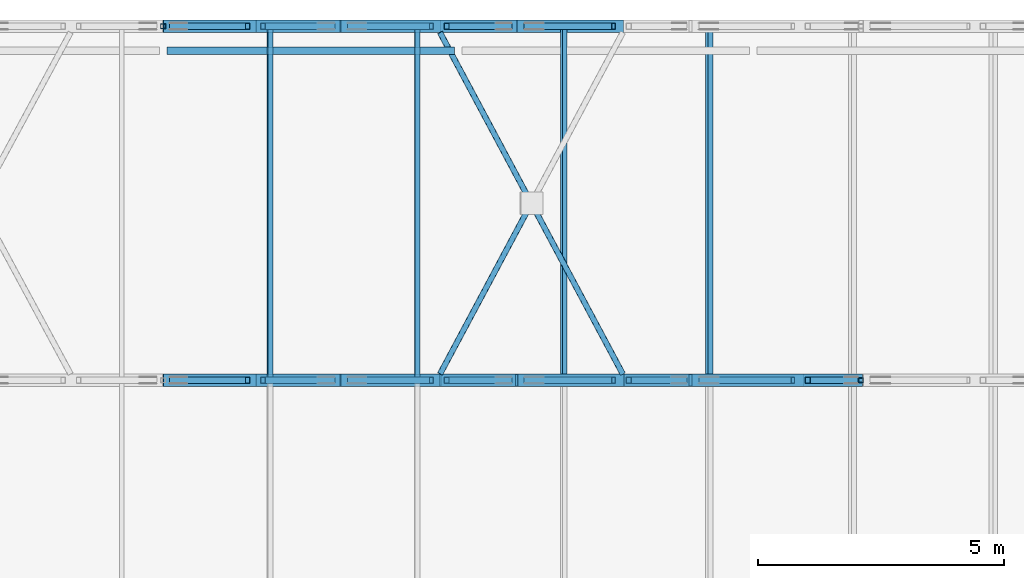
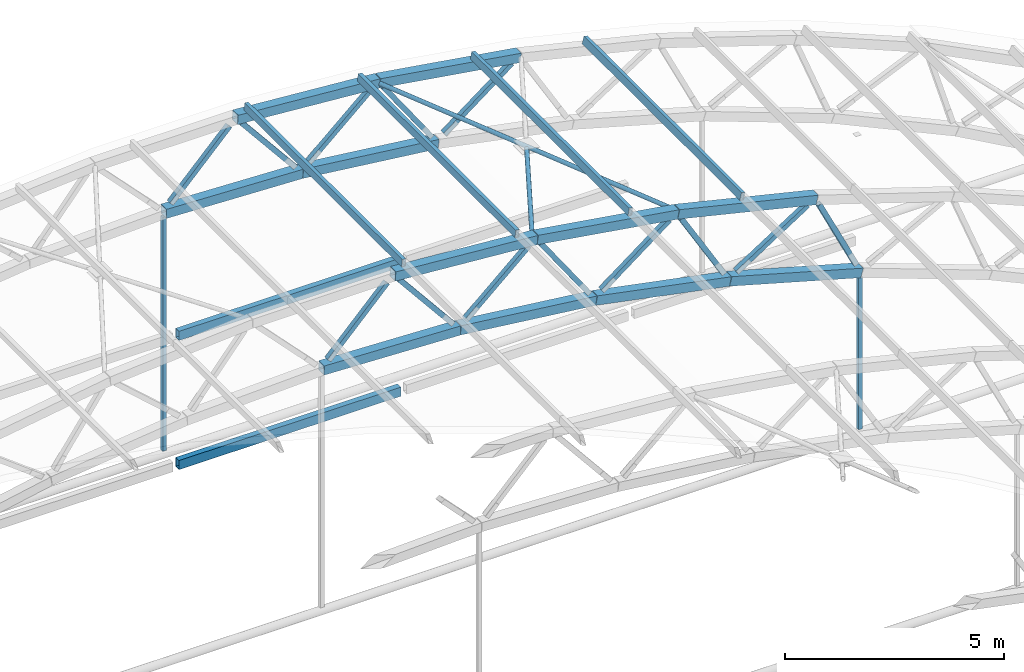
# One storey, part 65 of 127: 32 members, 2 beams.
"""IFC4 building model written with IfcOpenShell, lengths in metres."""

from ifc_helpers import new_model, si_unit, direction, frame, origin, origin_2d, place, context, subcontext, project, spatial, hollow_rectangle, hollow_circle, extrude, material, material_profile, profile_set, type_object, element, save


model = new_model("IFC4")

# Units and contexts
model_context = context("Model", 3, precision=1e-05, world=origin(), true_north=direction((0.0, 1.0)))
body_context = subcontext(model_context, "Body", "Model", "MODEL_VIEW")
ifc_project = project(units=[si_unit("LENGTHUNIT", "METRE"), si_unit("AREAUNIT", "SQUARE_METRE"), si_unit("VOLUMEUNIT", "CUBIC_METRE"), si_unit("PLANEANGLEUNIT", "RADIAN"), si_unit("MASSUNIT", "GRAM", prefix="KILO")], contexts=[model_context])

# Site, building, storey
site_placement = place(None, origin())
site = spatial("IfcSite", under=ifc_project, at=site_placement, CompositionType="ELEMENT")
building_placement = place(site_placement, origin())
building = spatial("IfcBuilding", under=site, at=building_placement, Name="Verrick Yard Athletic Hall", CompositionType="ELEMENT")
storey_placement = place(building_placement, frame((0.0, 0.0, 14.0)))
storey = spatial("IfcBuildingStorey", under=building, at=storey_placement, Name="L03", CompositionType="ELEMENT", Elevation=14.0)

# Members
ifc_material = material(Name="Structural steel HSS Class C 350W (CSA G40.20/G40.21)", Category="steel")
ifc_material_profile_1 = material_profile(ifc_material, hollow_rectangle(XDim=0.25390625, YDim=0.25390625, WallThickness=0.009521484375, at=origin_2d()), Name="HSS254x254x9.5")
ifc_profile_set_1 = profile_set([ifc_material_profile_1], Name="Structural steel HSS Class C 350W (CSA G40.20/G40.21)")
member_type_1 = type_object("IfcMemberType", Name="HB bottom chord HSS254x254x9.5", PredefinedType="CHORD", material=ifc_profile_set_1)
member_1_placement = place(storey_placement, frame((145.60498046875, 100.800048828125, 6.757080078125), z_axis=(0.999229759959, 0.0, -0.039241391579), x_axis=(0.0, 1.0, 0.0)))
element("IfcMember", 1, at=member_1_placement, inside=storey, type_object=member_type_1, Name="Truss TA5 bottom chord 8", PredefinedType="CHORD", context=body_context, shape_type="SweptSolid", body=[
    extrude(hollow_rectangle(XDim=0.25390625, YDim=0.25390625, WallThickness=0.009521484375, at=origin_2d()), origin(), (0.0, 0.0, 1.0), 3.595947265625),
])
for number, where, z_axis, x_axis, name in (
    (2, (149.208251953125, 100.800048828125, 6.615234375), (0.993094882284, 0.0, -0.117313915545), (0.0, 1.0, 0.0), "Truss TA5 bottom chord 9"),
    (3, (152.789306640625, 100.800048828125, 6.191650390625), (0.980848695375, 0.0, -0.194771242181), (0.0, 1.0, 0.0), "Truss TA5 bottom chord 10"),
    (4, (156.326171875, 100.800048828125, 5.489013671875), (0.962577364933, 0.0, -0.271007041457), (0.0, 1.0, 0.0), "Truss TA5 bottom chord 11"),
):
    element("IfcMember", number, at=place(storey_placement, frame(where, z_axis=z_axis, x_axis=x_axis)), inside=storey, type_object=member_type_1, Name=name, PredefinedType="CHORD", context=body_context, shape_type="SweptSolid", body=[
        extrude(hollow_rectangle(XDim=0.25390625, YDim=0.25390625, WallThickness=0.009521484375, at=origin_2d()), origin(), (0.0, 0.0, 1.0), 3.59619140625),
    ])
member_2_placement = place(storey_placement, frame((145.60498046875, 108.0, 6.757080078125), z_axis=(0.999229759959, 0.0, -0.039241391579), x_axis=(0.0, 1.0, 0.0)))
element("IfcMember", 5, at=member_2_placement, inside=storey, type_object=member_type_1, Name="Truss TA6 bottom chord 8", PredefinedType="CHORD", context=body_context, shape_type="SweptSolid", body=[
    extrude(hollow_rectangle(XDim=0.25390625, YDim=0.25390625, WallThickness=0.009521484375, at=origin_2d()), origin(), (0.0, 0.0, 1.0), 3.595947265625),
])
member_3_placement = place(storey_placement, frame((149.208251953125, 108.0, 6.615234375), z_axis=(0.993094882284, 0.0, -0.117313915545), x_axis=(0.0, 1.0, 0.0)))
element("IfcMember", 6, at=member_3_placement, inside=storey, type_object=member_type_1, Name="Truss TA6 bottom chord 9", PredefinedType="CHORD", context=body_context, shape_type="SweptSolid", body=[
    extrude(hollow_rectangle(XDim=0.25390625, YDim=0.25390625, WallThickness=0.009521484375, at=origin_2d()), origin(), (0.0, 0.0, 1.0), 3.59619140625),
])
ifc_material_profile_2 = material_profile(ifc_material, hollow_rectangle(XDim=0.1015625, YDim=0.203125, WallThickness=0.009521484375, at=origin_2d()), Name="HSS203x102x9.5")
ifc_profile_set_2 = profile_set([ifc_material_profile_2], Name="Structural steel HSS Class C 350W (CSA G40.20/G40.21)")
member_type_2 = type_object("IfcMemberType", Name="HB purlin HSS203x102x9.5", PredefinedType="PURLIN", material=ifc_profile_set_2)
for number, where, z_axis, x_axis, name in (
    (7, (147.77685546875, 100.800048828125, 8.92626953125), (0.0, 1.0, 0.0), (-0.996927304266, 0.0, 0.078332305011), "HB-PU-A-5-10"),
    (8, (150.767578125, 100.800048828125, 8.69140625), (0.0, 1.0, 0.0), (-0.996927304266, 0.0, 0.078332305011), "HB-PU-A-5-11"),
    (9, (153.7529296875, 100.800048828125, 8.258544921875), (0.0, 1.0, 0.0), (-0.987728086354, 0.0, 0.156183313539), "HB-PU-A-5-12"),
    (10, (156.70703125, 100.800048828125, 7.651611328125), (0.0, 1.0, 0.0), (-0.972458956474, 0.0, 0.23307418985), "HB-PU-A-5-13"),
):
    element("IfcMember", number, at=place(storey_placement, frame(where, z_axis=z_axis, x_axis=x_axis)), inside=storey, type_object=member_type_2, Name=name, PredefinedType="PURLIN", context=body_context, shape_type="SweptSolid", body=[
        extrude(hollow_rectangle(XDim=0.1015625, YDim=0.203125, WallThickness=0.009521484375, at=origin_2d()), origin(), (0.0, 0.0, 1.0), 7.199951171875),
    ])
ifc_material_profile_3 = material_profile(ifc_material, hollow_circle(Radius=0.05712890625, WallThickness=0.00634765625, at=origin_2d()), Name="HSS114x6.4")
ifc_profile_set_3 = profile_set([ifc_material_profile_3], Name="Structural steel HSS Class C 350W (CSA G40.20/G40.21)")
member_type_3 = type_object("IfcMemberType", Name="HB roof brace HSS114x6.4", PredefinedType="BRACE", material=ifc_profile_set_3)
member_4_placement = place(storey_placement, frame((151.232666015625, 100.927001953125, 8.425537109375), z_axis=(0.470520782895, 0.879249593627, -0.074366289212), x_axis=(-0.881691001461, 0.471827275538, 0.0)))
element("IfcMember", 11, at=member_4_placement, inside=storey, type_object=member_type_3, Name="HB-BR-A-5-8b1", PredefinedType="BRACE", context=body_context, shape_type="SweptSolid", body=[
    extrude(hollow_circle(Radius=0.05712890625, WallThickness=0.00634765625, at=origin_2d()), origin(), (0.0, 0.0, 1.0), 3.84423828125),
])
member_5_placement = place(storey_placement, frame((154.949462890625, 100.927001953125, 7.837890625), z_axis=(-0.470490238613, 0.879264173593, 0.074387152151), x_axis=(-0.881706997681, -0.471797382612, 0.0)))
element("IfcMember", 12, at=member_5_placement, inside=storey, type_object=member_type_3, Name="HB-BR-A-5-8a", PredefinedType="BRACE", context=body_context, shape_type="SweptSolid", body=[
    extrude(hollow_circle(Radius=0.05712890625, WallThickness=0.00634765625, at=origin_2d()), origin(), (0.0, 0.0, 1.0), 7.89990234375),
])
ifc_material_profile_4 = material_profile(ifc_material, hollow_rectangle(XDim=0.25390625, YDim=0.25390625, WallThickness=0.009521484375, at=origin_2d()), Name="HSS254x254x9.5")
ifc_profile_set_4 = profile_set([ifc_material_profile_4], Name="Structural steel HSS Class C 350W (CSA G40.20/G40.21)")
member_type_4 = type_object("IfcMemberType", Name="HB top chord HSS254x254x9.5", PredefinedType="CHORD", material=ifc_profile_set_4)
for number, where, z_axis, x_axis, name in (
    (13, (147.486328125, 100.800048828125, 8.719970703125), (0.996928028323, 0.0, -0.078323089468), (0.0, 1.0, 0.0), "Truss TA5 top chord 9"),
    (14, (151.237548828125, 100.800048828125, 8.4248046875), (0.987726014692, 0.0, -0.156196414495), (0.0, 1.0, 0.0), "Truss TA5 top chord 10"),
    (15, (154.9541015625, 100.800048828125, 7.836669921875), (0.972457525524, 0.0, -0.233080160141), (0.0, 1.0, 0.0), "Truss TA5 top chord 11"),
    (16, (147.486328125, 108.0, 8.719970703125), (0.996928028323, 0.0, -0.078323089468), (0.0, 1.0, 0.0), "Truss TA6 top chord 9"),
    (17, (151.237548828125, 108.0, 8.4248046875), (0.987726014692, 0.0, -0.156196414495), (0.0, 1.0, 0.0), "Truss TA6 top chord 10"),
):
    element("IfcMember", number, at=place(storey_placement, frame(where, z_axis=z_axis, x_axis=x_axis)), inside=storey, type_object=member_type_4, Name=name, PredefinedType="CHORD", context=body_context, shape_type="SweptSolid", body=[
        extrude(hollow_rectangle(XDim=0.25390625, YDim=0.25390625, WallThickness=0.009521484375, at=origin_2d()), origin(), (0.0, 0.0, 1.0), 3.7529296875),
    ])
ifc_material_profile_5 = material_profile(ifc_material, hollow_rectangle(XDim=0.1015625, YDim=0.1015625, WallThickness=0.00634765625, at=origin_2d()), Name="HSS102x102x6.4")
ifc_profile_set_5 = profile_set([ifc_material_profile_5], Name="Structural steel HSS Class C 350W (CSA G40.20/G40.21)")
member_type_5 = type_object("IfcMemberType", Name="HB truss hanger HSS102x102x6.4", PredefinedType="MEMBER", material=ifc_profile_set_5)
member_6_placement = place(storey_placement, frame((159.79248046875, 100.800048828125, 4.35888671875), z_axis=(0.0, 0.0, -1.0), x_axis=(0.0, -1.0, 0.0)))
element("IfcMember", 18, at=member_6_placement, inside=storey, type_object=member_type_5, Name="Truss TA5 hanger 3", PredefinedType="MEMBER", context=body_context, shape_type="SweptSolid", body=[
    extrude(hollow_rectangle(XDim=0.1015625, YDim=0.1015625, WallThickness=0.00634765625, at=origin_2d()), origin(), (0.0, 0.0, 1.0), 4.249267578125),
])
member_7_placement = place(storey_placement, frame((145.60009765625, 108.0, 6.628173828125), z_axis=(0.0, 0.0, -1.0), x_axis=(0.0, -1.0, 0.0)))
element("IfcMember", 19, at=member_7_placement, inside=storey, type_object=member_type_5, Name="Truss TA6 hanger 2", PredefinedType="MEMBER", context=body_context, shape_type="SweptSolid", body=[
    extrude(hollow_rectangle(XDim=0.1015625, YDim=0.1015625, WallThickness=0.00634765625, at=origin_2d()), origin(), (0.0, 0.0, 1.0), 6.5185546875),
])
ifc_material_profile_6 = material_profile(ifc_material, hollow_rectangle(XDim=0.126953125, YDim=0.126953125, WallThickness=0.009521484375, at=origin_2d()), Name="HSS127x127x9.5")
ifc_profile_set_6 = profile_set([ifc_material_profile_6], Name="Structural steel HSS Class C 350W (CSA G40.20/G40.21)")
member_type_6 = type_object("IfcMemberType", Name="HB truss web HSS127x127x9.5", PredefinedType="BRACE", material=ifc_profile_set_6)
member_8_placement = place(storey_placement, frame((145.772216796875, 100.800048828125, 6.936767578125), z_axis=(0.691917233653, 0.0, 0.721976829112), x_axis=(0.0, 1.0, 0.0)))
element("IfcMember", 20, at=member_8_placement, inside=storey, type_object=member_type_6, Name="Truss TA5 web 15", PredefinedType="BRACE", context=body_context, shape_type="SweptSolid", body=[
    extrude(hollow_rectangle(XDim=0.126953125, YDim=0.126953125, WallThickness=0.009521484375, at=origin_2d()), origin(), (0.0, 0.0, 1.0), 2.2333984375),
])
for number, where, z_axis, x_axis, name in (
    (21, (147.63134765625, 100.800048828125, 8.537109375), (0.633202076169, 0.0, -0.773986518445), (0.0, 1.0, 0.0), "Truss TA5 web 16"),
    (22, (149.388916015625, 100.800048828125, 6.781494140625), (0.746340924984, 0.0, 0.665563838932), (0.0, 1.0, 0.0), "Truss TA5 web 17"),
    (23, (151.367919921875, 100.800048828125, 8.231201171875), (0.570664111571, 0.0, -0.821183579819), (0.0, 1.0, 0.0), "Truss TA5 web 18"),
):
    element("IfcMember", number, at=place(storey_placement, frame(where, z_axis=z_axis, x_axis=x_axis)), inside=storey, type_object=member_type_6, Name=name, PredefinedType="BRACE", context=body_context, shape_type="SweptSolid", body=[
        extrude(hollow_rectangle(XDim=0.126953125, YDim=0.126953125, WallThickness=0.009521484375, at=origin_2d()), origin(), (0.0, 0.0, 1.0), 2.233642578125),
    ])
member_9_placement = place(storey_placement, frame((152.982421875, 100.800048828125, 6.34326171875), z_axis=(0.796206425538, 0.0, 0.605025063887), x_axis=(0.0, 1.0, 0.0)))
element("IfcMember", 24, at=member_9_placement, inside=storey, type_object=member_type_6, Name="Truss TA5 web 19", PredefinedType="BRACE", context=body_context, shape_type="SweptSolid", body=[
    extrude(hollow_rectangle(XDim=0.126953125, YDim=0.126953125, WallThickness=0.009521484375, at=origin_2d()), origin(), (0.0, 0.0, 1.0), 2.2333984375),
])
for number, where, z_axis, x_axis, name in (
    (25, (155.06884765625, 100.800048828125, 7.633544921875), (0.504543682156, 0.0, -0.86338616667), (0.0, 1.0, 0.0), "Truss TA5 web 20"),
    (26, (156.53076171875, 100.800048828125, 5.624755859375), (0.841118094735, 0.0, 0.54085150523), (0.0, 1.0, 0.0), "Truss TA5 web 21"),
    (27, (158.711669921875, 100.800048828125, 6.74755859375), (0.435458074734, 0.0, -0.900209011924), (0.0, 1.0, 0.0), "Truss TA5 web 22"),
):
    element("IfcMember", number, at=place(storey_placement, frame(where, z_axis=z_axis, x_axis=x_axis)), inside=storey, type_object=member_type_6, Name=name, PredefinedType="BRACE", context=body_context, shape_type="SweptSolid", body=[
        extrude(hollow_rectangle(XDim=0.126953125, YDim=0.126953125, WallThickness=0.009521484375, at=origin_2d()), origin(), (0.0, 0.0, 1.0), 2.233642578125),
    ])
member_10_placement = place(storey_placement, frame((145.772216796875, 108.0, 6.936767578125), z_axis=(0.691917233653, 0.0, 0.721976829112), x_axis=(0.0, 1.0, 0.0)))
element("IfcMember", 28, at=member_10_placement, inside=storey, type_object=member_type_6, Name="Truss TA6 web 15", PredefinedType="BRACE", context=body_context, shape_type="SweptSolid", body=[
    extrude(hollow_rectangle(XDim=0.126953125, YDim=0.126953125, WallThickness=0.009521484375, at=origin_2d()), origin(), (0.0, 0.0, 1.0), 2.2333984375),
])
for number, where, z_axis, x_axis, name in (
    (29, (147.63134765625, 108.0, 8.537109375), (0.633202076169, 0.0, -0.773986518445), (0.0, 1.0, 0.0), "Truss TA6 web 16"),
    (30, (149.388916015625, 108.0, 6.781494140625), (0.746340924984, 0.0, 0.665563838932), (0.0, 1.0, 0.0), "Truss TA6 web 17"),
    (31, (151.367919921875, 108.0, 8.231201171875), (0.570664111571, 0.0, -0.821183579819), (0.0, 1.0, 0.0), "Truss TA6 web 18"),
):
    element("IfcMember", number, at=place(storey_placement, frame(where, z_axis=z_axis, x_axis=x_axis)), inside=storey, type_object=member_type_6, Name=name, PredefinedType="BRACE", context=body_context, shape_type="SweptSolid", body=[
        extrude(hollow_rectangle(XDim=0.126953125, YDim=0.126953125, WallThickness=0.009521484375, at=origin_2d()), origin(), (0.0, 0.0, 1.0), 2.233642578125),
    ])
member_11_placement = place(storey_placement, frame((152.982421875, 108.0, 6.34326171875), z_axis=(0.796206425538, 0.0, 0.605025063887), x_axis=(0.0, 1.0, 0.0)))
element("IfcMember", 32, at=member_11_placement, inside=storey, type_object=member_type_6, Name="Truss TA6 web 19", PredefinedType="BRACE", context=body_context, shape_type="SweptSolid", body=[
    extrude(hollow_rectangle(XDim=0.126953125, YDim=0.126953125, WallThickness=0.009521484375, at=origin_2d()), origin(), (0.0, 0.0, 1.0), 2.2333984375),
])

# Beams
ifc_material_profile_7 = material_profile(ifc_material, hollow_rectangle(XDim=0.15234375, YDim=0.25390625, WallThickness=0.009521484375, at=origin_2d()), Name="HSS254x152x9.5")
ifc_profile_set_7 = profile_set([ifc_material_profile_7], Name="Structural steel HSS Class C 350W (CSA G40.20/G40.21)")
beam_type = type_object("IfcBeamType", Name="HB wind girder HSS254x152x9.5", PredefinedType="BEAM", material=ifc_profile_set_7)
for number, where, z_axis, x_axis, name in (
    (33, (145.67626953125, 107.50537109375, 0.0), (1.0, 0.0, 0.0), (0.0, 1.0, 0.0), "HB-WG-AN-140-4"),
    (34, (145.67626953125, 107.50537109375, 3.60009765625), (1.0, 0.0, 0.0), (0.0, 1.0, 0.0), "HB-WG-AN-176-3"),
):
    element("IfcBeam", number, at=place(storey_placement, frame(where, z_axis=z_axis, x_axis=x_axis)), inside=storey, type_object=beam_type, Name=name, PredefinedType="BEAM", context=body_context, shape_type="SweptSolid", body=[
        extrude(hollow_rectangle(XDim=0.15234375, YDim=0.25390625, WallThickness=0.009521484375, at=origin_2d()), origin(), (0.0, 0.0, 1.0), 5.847412109375),
    ])

save(model, "model.ifc")
